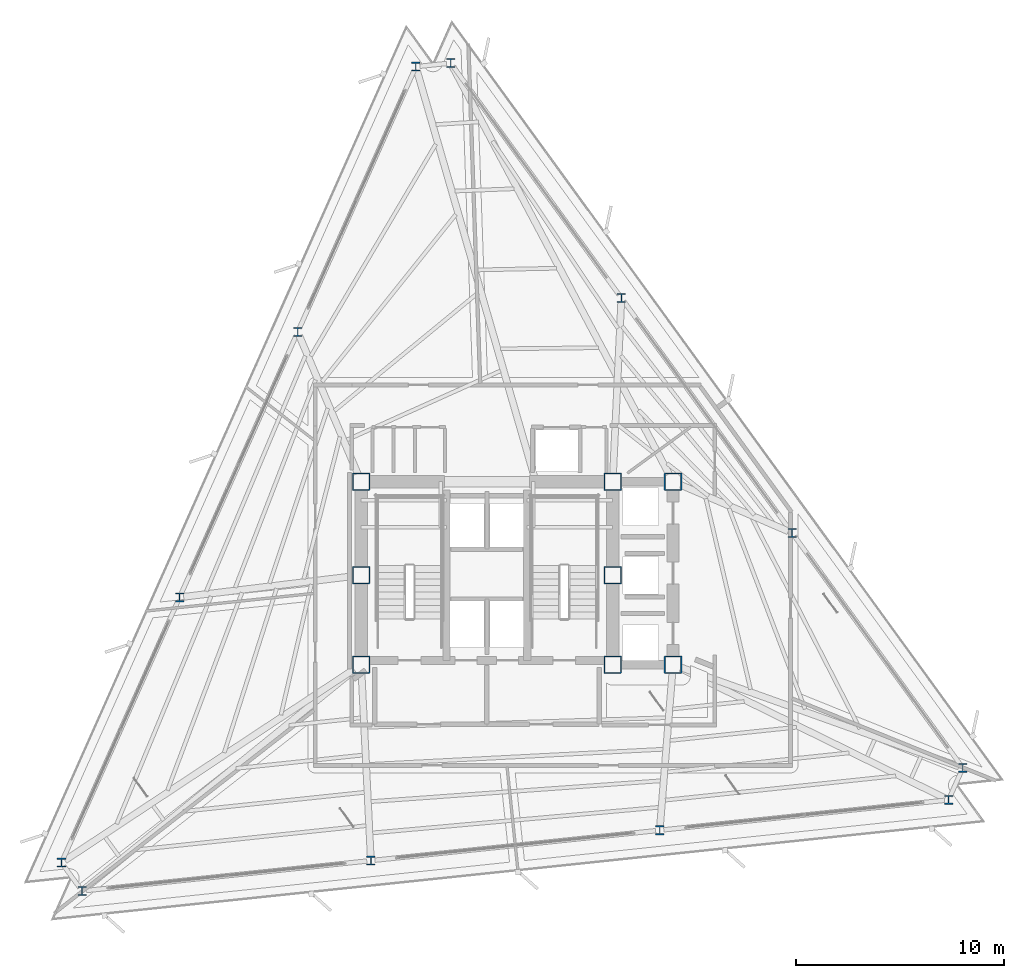
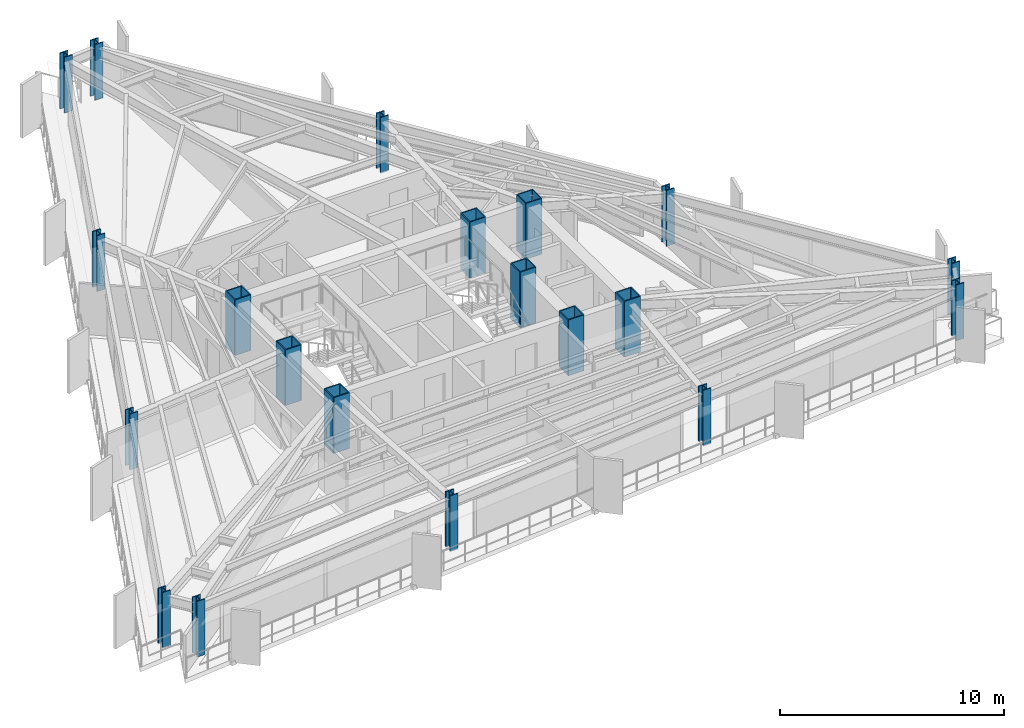
# One storey, part 1 of 12: 20 columns.
"""IFC4 building model written with IfcOpenShell, lengths in metres."""

from ifc_helpers import new_model, si_unit, direction, frame, origin, origin_2d, place, context, subcontext, project, spatial, hollow_rectangle, i_section, extrude, material, material_profile, profile_set, type_object, element, save


model = new_model("IFC4")

# Units and contexts
model_context = context("Model", 3, precision=1e-05, world=origin(), true_north=direction((0.0, 1.0)))
body_context = subcontext(model_context, "Body", "Model", "MODEL_VIEW")
ifc_project = project(units=[si_unit("LENGTHUNIT", "METRE"), si_unit("AREAUNIT", "SQUARE_METRE"), si_unit("VOLUMEUNIT", "CUBIC_METRE"), si_unit("PLANEANGLEUNIT", "RADIAN"), si_unit("MASSUNIT", "GRAM", prefix="KILO")], contexts=[model_context])

# Site, building, storey
site_placement = place(None, origin())
site = spatial("IfcSite", under=ifc_project, at=site_placement, CompositionType="ELEMENT")
building_placement = place(site_placement, origin())
building = spatial("IfcBuilding", under=site, at=building_placement, Name="Rocaltana Carrier Exchange", CompositionType="ELEMENT")
storey_placement = place(building_placement, frame((0.0, 0.0, 110.719970703125)))
storey = spatial("IfcBuildingStorey", under=building, at=storey_placement, Name="L34", CompositionType="ELEMENT", Elevation=110.719970703125)

# Columns
ifc_material_1 = material(Name="Steel S460", Category="steel")
ifc_material_profile_1 = material_profile(ifc_material_1, hollow_rectangle(XDim=0.85009765625, YDim=0.85009765625, WallThickness=0.054931640625, InnerFilletRadius=0.02001953125, OuterFilletRadius=0.0400390625, at=origin_2d()), Name="BOX850X850X55")
ifc_profile_set_1 = profile_set([ifc_material_profile_1], Name="Steel S460")
column_type_1 = type_object("IfcColumnType", Name="Core Mega-Column BOX850", PredefinedType="COLUMN", material=ifc_profile_set_1)
for number, where, z_axis, x_axis, name in (
    (1, (-6.050048828125, 4.5, 0.0), (0.0, 0.0, 1.0), (1.0, 0.0, 0.0), "L34 Core Mega-Column MC1"),
    (2, (6.050048828125, 4.5, 0.0), (0.0, 0.0, 1.0), (1.0, 0.0, 0.0), "L34 Core Mega-Column MC2"),
    (3, (-6.050048828125, 0.0, 0.0), (0.0, 0.0, 1.0), (1.0, 0.0, 0.0), "L34 Core Mega-Column MC3"),
    (4, (6.050048828125, 0.0, 0.0), (0.0, 0.0, 1.0), (1.0, 0.0, 0.0), "L34 Core Mega-Column MC4"),
    (5, (-6.050048828125, -4.300048828125, 0.0), (0.0, 0.0, 1.0), (1.0, 0.0, 0.0), "L34 Core Mega-Column MC5"),
    (6, (6.050048828125, -4.300048828125, 0.0), (0.0, 0.0, 1.0), (1.0, 0.0, 0.0), "L34 Core Mega-Column MC6"),
    (7, (8.949951171875, 4.5, 0.0), (0.0, 0.0, 1.0), (1.0, 0.0, 0.0), "L34 East Core Column EC1"),
    (8, (8.949951171875, -4.300048828125, 0.0), (0.0, 0.0, 1.0), (1.0, 0.0, 0.0), "L34 East Core Column EC2"),
):
    element("IfcColumn", number, at=place(storey_placement, frame(where, z_axis=z_axis, x_axis=x_axis)), inside=storey, type_object=column_type_1, Name=name, PredefinedType="COLUMN", context=body_context, shape_type="SweptSolid", body=[
        extrude(hollow_rectangle(XDim=0.85009765625, YDim=0.85009765625, WallThickness=0.054931640625, InnerFilletRadius=0.02001953125, OuterFilletRadius=0.0400390625, at=origin_2d()), origin(), (0.0, 0.0, 1.0), 3.0400390625),
    ])
ifc_material_2 = material(Name="Steel S460", Category="steel")
ifc_material_profile_2 = material_profile(ifc_material_2, i_section(OverallWidth=0.412109375, OverallDepth=0.43505859375, WebThickness=0.035888671875, FlangeThickness=0.057373046875, FilletRadius=0.02197265625, at=origin_2d()), Name="W14X311")
ifc_profile_set_2 = profile_set([ifc_material_profile_2], Name="Steel S460")
column_type_2 = type_object("IfcColumnType", Name="Perimeter Column W14X311", PredefinedType="COLUMN", material=ifc_profile_set_2)
for number, where, z_axis, x_axis, name in (
    (9, (22.88671875, -9.267578125, 0.0), (0.0, 0.0, 1.0), (1.0, 0.0, 0.0), "L34 Perimeter Column TC01"),
    (10, (14.67724609375, 2.03173828125, 0.0), (0.0, 0.0, 1.0), (1.0, 0.0, 0.0), "L34 Perimeter Column TC02"),
    (11, (6.4677734375, 13.3310546875, 0.0), (0.0, 0.0, 1.0), (1.0, 0.0, 0.0), "L34 Perimeter Column TC03"),
    (12, (-1.74169921875, 24.63037109375, 0.0), (0.0, 0.0, 1.0), (1.0, 0.0, 0.0), "L34 Perimeter Column TC04"),
    (13, (-3.417236328125, 24.4541015625, 0.0), (0.0, 0.0, 1.0), (1.0, 0.0, 0.0), "L34 Perimeter Column TC05"),
    (14, (-9.09814453125, 11.69482421875, 0.0), (0.0, 0.0, 1.0), (1.0, 0.0, 0.0), "L34 Perimeter Column TC06"),
    (15, (-14.77880859375, -1.064208984375, 0.0), (0.0, 0.0, 1.0), (1.0, 0.0, 0.0), "L34 Perimeter Column TC07"),
    (16, (-20.459716796875, -13.823486328125, 0.0), (0.0, 0.0, 1.0), (1.0, 0.0, 0.0), "L34 Perimeter Column TC08"),
    (17, (-19.46923828125, -15.1865234375, 0.0), (0.0, 0.0, 1.0), (1.0, 0.0, 0.0), "L34 Perimeter Column TC09"),
    (18, (-5.5791015625, -13.726806640625, 0.0), (0.0, 0.0, 1.0), (1.0, 0.0, 0.0), "L34 Perimeter Column TC10"),
    (19, (8.31103515625, -12.2666015625, 0.0), (0.0, 0.0, 1.0), (1.0, 0.0, 0.0), "L34 Perimeter Column TC11"),
    (20, (22.201171875, -10.806884765625, 0.0), (0.0, 0.0, 1.0), (1.0, 0.0, 0.0), "L34 Perimeter Column TC12"),
):
    element("IfcColumn", number, at=place(storey_placement, frame(where, z_axis=z_axis, x_axis=x_axis)), inside=storey, type_object=column_type_2, Name=name, PredefinedType="COLUMN", context=body_context, shape_type="SweptSolid", body=[
        extrude(i_section(OverallWidth=0.412109375, OverallDepth=0.43505859375, WebThickness=0.035888671875, FlangeThickness=0.057373046875, FilletRadius=0.02197265625, at=origin_2d()), origin(), (0.0, 0.0, 1.0), 3.0400390625),
    ])

save(model, "model.ifc")
